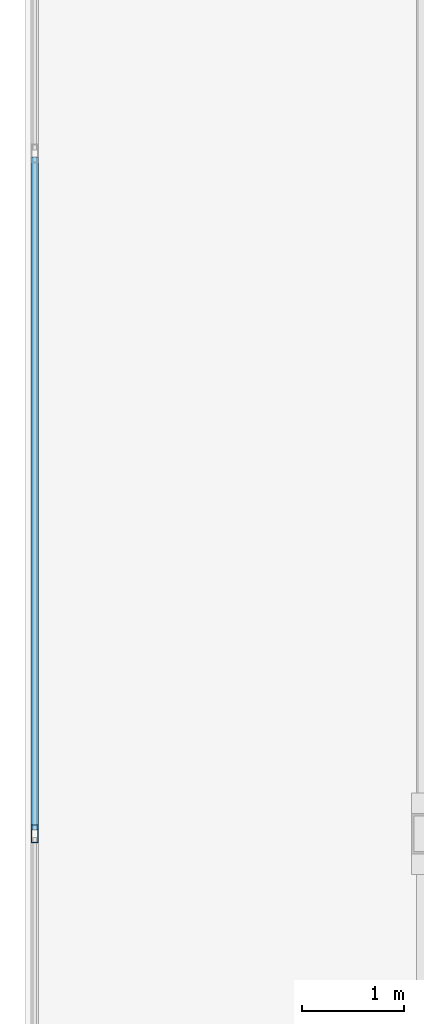
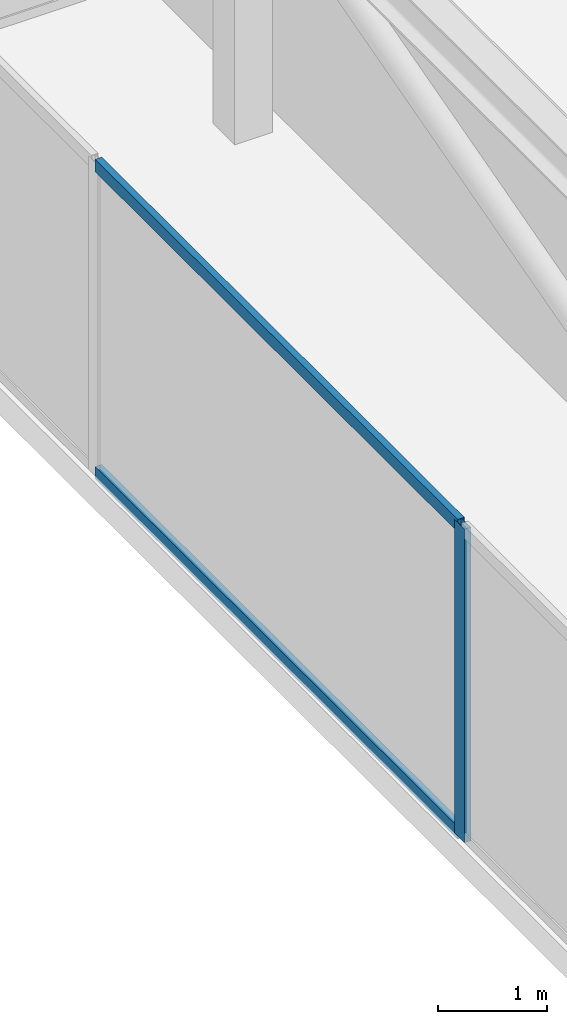
# One storey, part 8 of 25: 3 members, 1 element without a shape of its own.
"""IFC4 building model written with IfcOpenShell, lengths in metres."""

from ifc_helpers import new_model, si_unit, direction, frame, origin, origin_2d, place, context, subcontext, project, spatial, hollow_rectangle, extrude, source, transform, mapped, material, material_profile, profile_set, type_object, type_shapes, element, aggregate, save


model = new_model("IFC4")

# Units and contexts
model_context = context("Model", 3, precision=1e-05, world=origin(), true_north=direction((0.0, 1.0)))
body_context = subcontext(model_context, "Body", "Model", "MODEL_VIEW")
ifc_project = project(units=[si_unit("LENGTHUNIT", "METRE"), si_unit("AREAUNIT", "SQUARE_METRE"), si_unit("VOLUMEUNIT", "CUBIC_METRE"), si_unit("PLANEANGLEUNIT", "RADIAN"), si_unit("MASSUNIT", "GRAM", prefix="KILO")], contexts=[model_context])

# Site, building, storey
site_placement = place(None, origin())
site = spatial("IfcSite", under=ifc_project, at=site_placement, CompositionType="ELEMENT")
building_placement = place(site_placement, origin())
building = spatial("IfcBuilding", under=site, at=building_placement, Name="Krantzveldt Concourse Tower", CompositionType="ELEMENT")
storey_placement = place(building_placement, frame((0.0, 0.0, 367.050048828125)))
storey = spatial("IfcBuildingStorey", under=building, at=storey_placement, Name="L90", CompositionType="ELEMENT", Elevation=367.050048828125)

# Curtain wall, members
ifc_material = material(Name="Anodised aluminium 6063-T6", Category="aluminium")
curtain_wall_type = type_object("IfcCurtainWallType", Name="CW7", PredefinedType="USERDEFINED", material=ifc_material)
curtain_wall_placement = place(storey_placement, origin())
curtain_wall = element("IfcCurtainWall", 1, at=curtain_wall_placement, inside=storey, type_object=curtain_wall_type, Name="CW-L90-WEST-05", ObjectType="UNITISED CURTAIN WALL", PredefinedType="USERDEFINED")
ifc_material_profile_1 = material_profile(ifc_material, hollow_rectangle(XDim=0.070068359375, YDim=0.139892578125, WallThickness=0.0048828125, at=origin_2d()), Name="Anodised aluminium 6063-T6", Category="aluminium")
ifc_profile_set_1 = profile_set([ifc_material_profile_1], Name="Anodised aluminium 6063-T6 - ALU-TRAN 140x70x5")
member_type_1 = type_object("IfcMemberType", Name="CW-TRN-150", PredefinedType="USERDEFINED", material=ifc_profile_set_1)
shared_shape_1 = source(origin(), body_context, "Body", "SweptSolid", [
    extrude(hollow_rectangle(XDim=0.070068359375, YDim=0.139892578125, WallThickness=0.0048828125, at=origin_2d()), origin(), (0.0, 0.0, 1.0), 6.6298828125),
])
type_shapes(member_type_1, [shared_shape_1])
member_1_placement = place(storey_placement, frame((17.090087890625, 33.364990234375, 0.034912109375), z_axis=(0.0, -1.0, 0.0), x_axis=(1.0, 0.0, 0.0)))
member_1 = element("IfcMember", 2, at=member_1_placement, type_object=member_type_1, Name="CW-CRN transom 2.1", ObjectType="TRANSOM", PredefinedType="USERDEFINED", context=body_context, shape_type="MappedRepresentation", body=[
    mapped(shared_shape_1, transform((0.0, 0.0, 0.0), x_axis=(1.0, 0.0, 0.0), y_axis=(0.0, 1.0, 0.0), z_axis=(0.0, 0.0, 1.0), scale=1.0)),
])
member_2_placement = place(storey_placement, frame((17.090087890625, 33.364990234375, 3.46484375), z_axis=(0.0, -1.0, 0.0), x_axis=(1.0, 0.0, 0.0)))
member_2 = element("IfcMember", 3, at=member_2_placement, type_object=member_type_1, Name="CW-CRN transom 2.2", ObjectType="TRANSOM", PredefinedType="USERDEFINED", context=body_context, shape_type="MappedRepresentation", body=[
    mapped(shared_shape_1, transform((0.0, 0.0, 0.0), x_axis=(1.0, 0.0, 0.0), y_axis=(0.0, 1.0, 0.0), z_axis=(0.0, 0.0, 1.0), scale=1.0)),
])
ifc_material_profile_2 = material_profile(ifc_material, hollow_rectangle(XDim=0.070068359375, YDim=0.179931640625, WallThickness=0.0048828125, at=origin_2d()), Name="Anodised aluminium 6063-T6", Category="aluminium")
ifc_profile_set_2 = profile_set([ifc_material_profile_2], Name="Anodised aluminium 6063-T6 - ALU-MULL 180x70x5")
member_type_2 = type_object("IfcMemberType", Name="CW-MUL-180", PredefinedType="MULLION", material=ifc_profile_set_2)
shared_shape_2 = source(origin(), body_context, "Body", "SweptSolid", [
    extrude(hollow_rectangle(XDim=0.070068359375, YDim=0.179931640625, WallThickness=0.0048828125, at=origin_2d()), origin(), (0.0, 0.0, 1.0), 3.5),
])
type_shapes(member_type_2, [shared_shape_2])
member_3_placement = place(storey_placement, frame((17.090087890625, 26.699951171875, 0.0), z_axis=(0.0, 0.0, 1.0), x_axis=(1.0, 0.0, 0.0)))
member_3 = element("IfcMember", 4, at=member_3_placement, type_object=member_type_2, Name="CW-CRN mullion 3", PredefinedType="MULLION", context=body_context, shape_type="MappedRepresentation", body=[
    mapped(shared_shape_2, transform((0.0, 0.0, 0.0), x_axis=(1.0, 0.0, 0.0), y_axis=(0.0, 1.0, 0.0), z_axis=(0.0, 0.0, 1.0), scale=1.0)),
])
aggregate(curtain_wall, [member_3, member_1, member_2])

save(model, "model.ifc")
